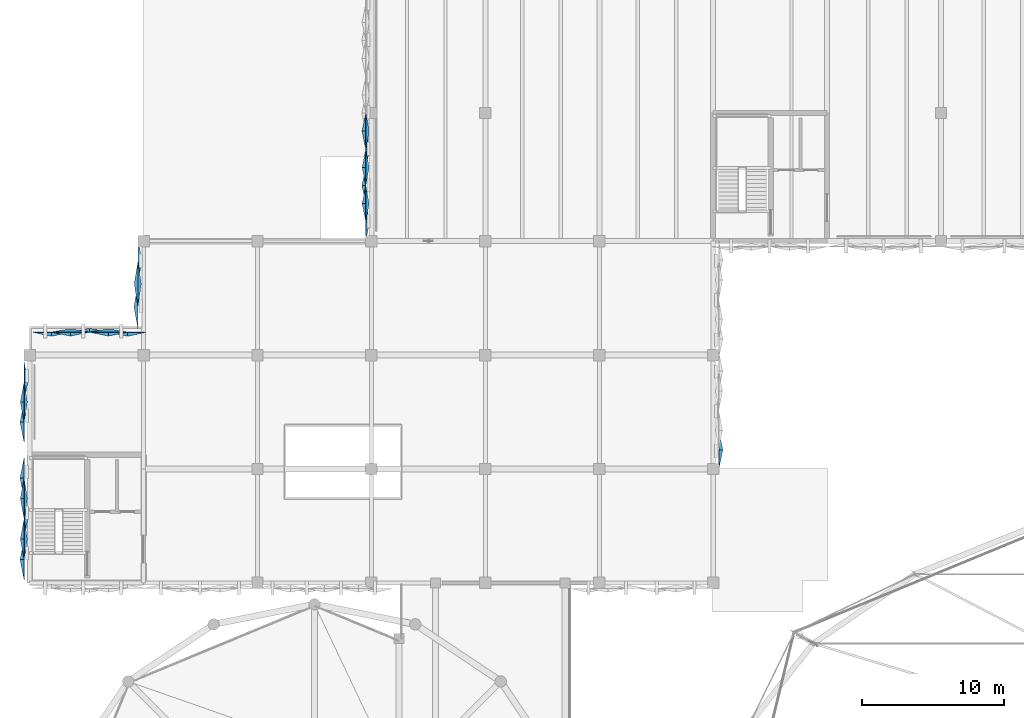
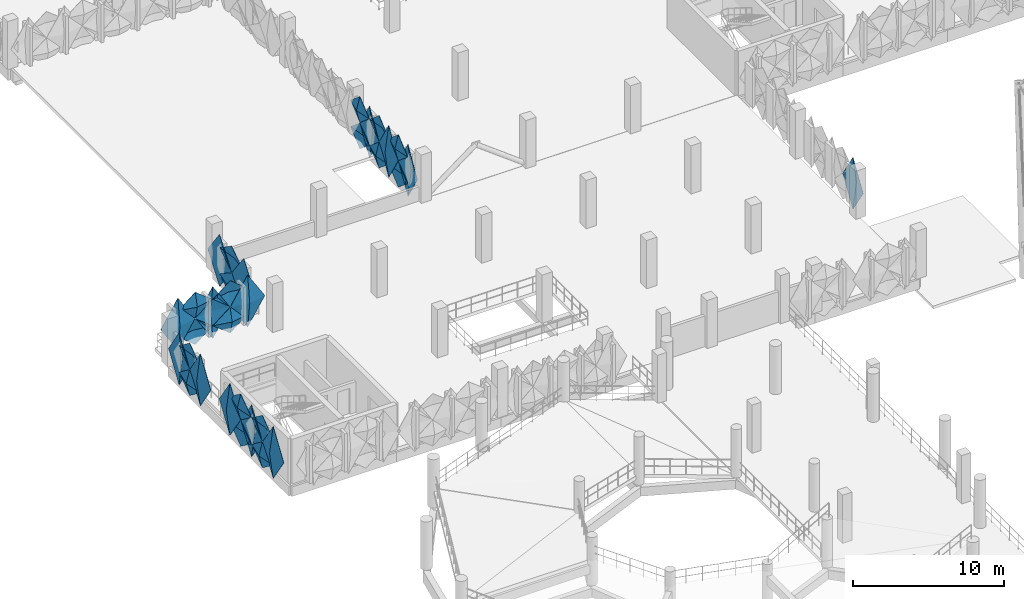
# One storey, part 64 of 96: 32 plates.
"""IFC4 building model written with IfcOpenShell, lengths in metres."""

import ifcopenshell
import ifcopenshell.guid

model = None  # the IFC model being written
_history = None  # IfcOwnerHistory: only IFC2X3 demands one
_inside = {}  # id of a spatial element -> (the spatial element, [elements in it])
_under = {}  # id of a project, library or spatial element -> (it, [spatial elements below it])
_declared = {}  # id of a project -> (the project, [libraries it declares])
_typed = {}  # id of a type object -> (the type object, [elements of that type])
_made_of = {}  # id of a material, layer set ... -> (it, [elements and type objects made of it])


def new_model(schema):
    """Start an empty IFC model of exactly this schema.

    Asked for "IFC4X3", IfcOpenShell would pick the latest addendum, in which some entities
    have other attributes; the version numbers below select the first issue.
    IFC2X3 requires an IfcOwnerHistory on every rooted entity: one is made here for all.
    """
    global model, _history
    if schema == "IFC4X3":
        model = ifcopenshell.file(schema_version=(4, 3, 0, 0))
    else:
        model = ifcopenshell.file(schema=schema)
    _inside.clear()
    _under.clear()
    _declared.clear()
    _typed.clear()
    _made_of.clear()
    _history = None
    if model.schema == "IFC2X3":
        org = make("IfcOrganization", Name="unknown")
        user = make(
            "IfcPersonAndOrganization",
            ThePerson=make("IfcPerson", FamilyName="unknown"),
            TheOrganization=org,
        )
        app = make(
            "IfcApplication",
            ApplicationDeveloper=org,
            Version="unknown",
            ApplicationFullName="unknown",
            ApplicationIdentifier="unknown",
        )
        _history = make(
            "IfcOwnerHistory",
            OwningUser=user,
            OwningApplication=app,
            ChangeAction="ADDED",
            CreationDate=0,
        )
    return model


def make(cls, **values):
    """One entity of the class cls with the attributes given. An attribute that is None is left unset."""
    return model.create_entity(
        cls, **{name: value for name, value in values.items() if value is not None}
    )


def rooted(cls, **values):
    """An entity with a GlobalId (a new one), such as an element, a storey or a relation."""
    return make(cls, GlobalId=ifcopenshell.guid.new(), OwnerHistory=_history, **values)


def si_unit(unit_type, name, prefix=None):
    """IfcSIUnit, for example si_unit("LENGTHUNIT", "METRE", prefix="MILLI")."""
    return make("IfcSIUnit", UnitType=unit_type, Prefix=prefix, Name=name)


def derived_unit(unit_type, elements):
    """IfcDerivedUnit: a product of units, each with its exponent."""
    return make(
        "IfcDerivedUnit",
        Elements=[
            make("IfcDerivedUnitElement", Unit=unit, Exponent=power)
            for unit, power in elements
        ],
        UnitType=unit_type,
    )


def assignment(units):
    """IfcUnitAssignment: the units of a project."""
    return None if units is None else make("IfcUnitAssignment", Units=units)


def point(xyz):
    """IfcCartesianPoint."""
    return None if xyz is None else make("IfcCartesianPoint", Coordinates=xyz)


def direction(xyz):
    """IfcDirection."""
    return None if xyz is None else make("IfcDirection", DirectionRatios=xyz)


def frame(location, z_axis=None, x_axis=None):
    """IfcAxis2Placement3D, a coordinate frame: its origin and axes. An axis left out is left unset."""
    return make(
        "IfcAxis2Placement3D",
        Location=point(location),
        Axis=direction(z_axis),
        RefDirection=direction(x_axis),
    )


def origin():
    """The frame at (0, 0, 0) with its axes left unset."""
    return frame((0.0, 0.0, 0.0))


def place(relative_to, where):
    """IfcLocalPlacement: puts the frame where relative to a parent placement (None: the world)."""
    return make(
        "IfcLocalPlacement", PlacementRelTo=relative_to, RelativePlacement=where
    )


def context(
    kind, dimensions, precision=None, world=None, true_north=None, identifier=None
):
    """IfcGeometricRepresentationContext, for example the 3D "Model" context."""
    return make(
        "IfcGeometricRepresentationContext",
        ContextIdentifier=identifier,
        ContextType=kind,
        CoordinateSpaceDimension=dimensions,
        Precision=precision,
        WorldCoordinateSystem=world,
        TrueNorth=true_north,
    )


def subcontext(parent, identifier, kind, view, scale=None):
    """IfcGeometricRepresentationSubContext, for example "Body" below "Model"."""
    return make(
        "IfcGeometricRepresentationSubContext",
        ContextIdentifier=identifier,
        ContextType=kind,
        ParentContext=parent,
        TargetScale=scale,
        TargetView=view,
    )


def project(units=None, contexts=None):
    """IfcProject with its units and contexts."""
    return rooted(
        "IfcProject",
        Name="project",
        RepresentationContexts=contexts,
        UnitsInContext=assignment(units),
    )


def spatial(cls, under=None, at=None, **own):
    """A site, building, storey or space (cls), placed at a placement, below another one or the project."""
    s = rooted(cls, ObjectPlacement=at, **own)
    if under is not None:
        _under.setdefault(under.id(), (under, []))[1].append(s)
    return s


def point_list(points):
    """IfcCartesianPointList2D or 3D."""
    cls = (
        "IfcCartesianPointList2D" if len(points[0]) == 2 else "IfcCartesianPointList3D"
    )
    return make(cls, CoordList=points)


def polygons(points, faces, closed=None, point_numbers=None):
    """IfcPolygonalFaceSet: a face is its outer loop, then its inner loops; points numbered from 1."""
    made = []
    for loops in faces:
        if len(loops) == 1:
            made.append(make("IfcIndexedPolygonalFace", CoordIndex=loops[0]))
        else:
            made.append(
                make(
                    "IfcIndexedPolygonalFaceWithVoids",
                    CoordIndex=loops[0],
                    InnerCoordIndices=loops[1:],
                )
            )
    return make(
        "IfcPolygonalFaceSet",
        Coordinates=point_list(points),
        Closed=closed,
        Faces=made,
        PnIndex=point_numbers,
    )


def shape(context_of_items, identifier, shape_type, items):
    """IfcShapeRepresentation: the items that make up one representation, for example the "Body"."""
    return make(
        "IfcShapeRepresentation",
        ContextOfItems=context_of_items,
        RepresentationIdentifier=identifier,
        RepresentationType=shape_type,
        Items=items,
    )


def material(Name=None, Category=None):
    """IfcMaterial."""
    return make("IfcMaterial", Name=Name, Category=Category)


def layer(
    of_material, thickness, ventilated=None, Name=None, Category=None, Priority=None
):
    """IfcMaterialLayer: one layer of a wall or slab, of a material (None: an air gap)."""
    return make(
        "IfcMaterialLayer",
        Material=of_material,
        LayerThickness=thickness,
        IsVentilated=ventilated,
        Name=Name,
        Category=Category,
        Priority=Priority,
    )


def layer_set(layers, Name=None):
    """IfcMaterialLayerSet."""
    return make("IfcMaterialLayerSet", MaterialLayers=layers, LayerSetName=Name)


def made_of(thing, what):
    """Note that an element or type object is made of a material, layer set ...; save() writes the relation."""
    if what is not None:
        _made_of.setdefault(what.id(), (what, []))[1].append(thing)
    return thing


def type_object(cls, material=None, **own):
    """A type object (cls), such as IfcWallType, which elements share."""
    return made_of(rooted(cls, **own), material)


def element(
    cls,
    number,
    at=None,
    inside=None,
    cuts=None,
    type_object=None,
    material=None,
    context=None,
    identifier="Body",
    shape_type=None,
    held_by="IfcProductDefinitionShape",
    body=None,
    shapes=None,
    **own,
):
    """One element of the class cls, such as IfcWall. Its Tag is "e" and its number.

    at: its placement. inside: the storey or other place that contains it. cuts: it is an
    opening in that element (IfcRelVoidsElement). A single representation is given by context,
    identifier, shape_type and body (its items); several are given by shapes. held_by: the class
    of the entity that holds the representations. save() writes the other relations.
    """
    e = rooted(cls, Tag="e%d" % number, ObjectPlacement=at, **own)
    if body is not None:
        shapes = [shape(context, identifier, shape_type, body)]
    if shapes is not None:
        e.Representation = make(held_by, Representations=shapes)
    if inside is not None:
        _inside.setdefault(inside.id(), (inside, []))[1].append(e)
    if cuts is not None:
        rooted(
            "IfcRelVoidsElement", RelatingBuildingElement=cuts, RelatedOpeningElement=e
        )
    if type_object is not None:
        _typed.setdefault(type_object.id(), (type_object, []))[1].append(e)
    return made_of(e, material)


def aggregate(whole, parts):
    """IfcRelAggregates: a whole, such as a stair, and the parts it consists of."""
    return rooted("IfcRelAggregates", RelatingObject=whole, RelatedObjects=parts)


def save(model, path):
    """Write the relations noted so far, then the file.

    IfcRelAggregates (storeys below a building ...), IfcRelContainedInSpatialStructure (elements
    in a storey), IfcRelDefinesByType, IfcRelAssociatesMaterial and IfcRelDeclares: one each for
    every whole, place, type object, material and project.
    """
    for whole, parts in _under.values():
        aggregate(whole, parts)
    for where, things in _inside.values():
        rooted(
            "IfcRelContainedInSpatialStructure",
            RelatedElements=things,
            RelatingStructure=where,
        )
    for kind, things in _typed.values():
        rooted("IfcRelDefinesByType", RelatedObjects=things, RelatingType=kind)
    for what, things in _made_of.values():
        rooted("IfcRelAssociatesMaterial", RelatedObjects=things, RelatingMaterial=what)
    for by, libraries in _declared.values():
        rooted("IfcRelDeclares", RelatingContext=by, RelatedDefinitions=libraries)
    model.write(path)


model = new_model("IFC4")

# Units and contexts
model_context = context("Model", 3, precision=1e-05, world=origin(), true_north=direction((0.0, 1.0)))
body_context = subcontext(model_context, "Body", "Model", "MODEL_VIEW")
ifc_project = project(units=[si_unit("LENGTHUNIT", "METRE"), si_unit("AREAUNIT", "SQUARE_METRE"), si_unit("VOLUMEUNIT", "CUBIC_METRE"), si_unit("PLANEANGLEUNIT", "RADIAN"), si_unit("MASSUNIT", "GRAM", prefix="KILO"), si_unit("THERMODYNAMICTEMPERATUREUNIT", "KELVIN"), derived_unit("THERMALTRANSMITTANCEUNIT", [(si_unit("POWERUNIT", "WATT"), 1), (si_unit("AREAUNIT", "SQUARE_METRE"), -1), (si_unit("THERMODYNAMICTEMPERATUREUNIT", "KELVIN"), -1)])], contexts=[model_context])

# Site, building, storey
site_placement = place(None, origin())
site = spatial("IfcSite", under=ifc_project, at=site_placement, CompositionType="ELEMENT")
building_placement = place(site_placement, origin())
building = spatial("IfcBuilding", under=site, at=building_placement, Name="Haiyu Intermodal Mobility Hub", CompositionType="ELEMENT")
storey_placement = place(building_placement, frame((0.0, 0.0, 9.5)))
storey = spatial("IfcBuildingStorey", under=building, at=storey_placement, Name="L02", CompositionType="ELEMENT", Elevation=9.5)

# Plates
ifc_material = material(Name="Anodised aluminium 6063-T6", Category="aluminium")
ifc_layer_1 = layer(ifc_material, 0.01806640625)
ifc_layer_set_1 = layer_set([ifc_layer_1], Name="Anodised aluminium 6063-T6")
plate_type_1 = type_object("IfcPlateType", Name="PLT-FC01", PredefinedType="USERDEFINED", material=ifc_layer_set_1)
plate_1_placement = place(storey_placement, origin())
element("IfcPlate", 1, at=plate_1_placement, inside=storey, type_object=plate_type_1, Name="PLT-PYR-1436", ObjectType="FACADE CASSETTE", PredefinedType="USERDEFINED", context=body_context, shape_type="Tessellation", body=[
    polygons([(13.60009765625, 81.633056640625, -0.510009765625), (13.60009765625, 80.219970703125, 1.60009765625), (13.60009765625, 81.633056640625, 3.7099609375), (13.60009765625, 83.047119140625, 1.60009765625), (13.320068359375, 81.633056640625, 1.60009765625), (13.6220703125, 81.633056640625, -0.510009765625), (13.6220703125, 80.219970703125, 1.60009765625), (13.6220703125, 81.633056640625, 3.7099609375), (13.6220703125, 83.047119140625, 1.60009765625), (13.342041015625, 81.633056640625, 1.60009765625)], [[[1, 2, 5]], [[2, 3, 5]], [[3, 4, 5]], [[4, 1, 5]], [[7, 6, 10]], [[8, 7, 10]], [[9, 8, 10]], [[6, 9, 10]], [[1, 6, 7, 2]], [[2, 7, 8, 3]], [[3, 8, 9, 4]], [[4, 9, 6, 1]]], closed=True),
])
plate_2_placement = place(storey_placement, origin())
element("IfcPlate", 2, at=plate_2_placement, inside=storey, type_object=plate_type_1, Name="PLT-PYR-2485", ObjectType="FACADE CASSETTE", PredefinedType="USERDEFINED", context=body_context, shape_type="Tessellation", body=[
    polygons([(20.866943359375, 97.60009765625, -0.510009765625), (22.179931640625, 97.60009765625, 1.60009765625), (20.866943359375, 97.60009765625, 3.7099609375), (19.552978515625, 97.60009765625, 1.60009765625), (20.866943359375, 97.320068359375, 1.60009765625), (20.866943359375, 97.6220703125, -0.510009765625), (22.179931640625, 97.6220703125, 1.60009765625), (20.866943359375, 97.6220703125, 3.7099609375), (19.552978515625, 97.6220703125, 1.60009765625), (20.866943359375, 97.342041015625, 1.60009765625)], [[[1, 2, 5]], [[2, 3, 5]], [[3, 4, 5]], [[4, 1, 5]], [[7, 6, 10]], [[8, 7, 10]], [[9, 8, 10]], [[6, 9, 10]], [[1, 6, 7, 2]], [[2, 7, 8, 3]], [[3, 8, 9, 4]], [[4, 9, 6, 1]]], closed=True),
])
ifc_layer_2 = layer(ifc_material, 0.02001953125)
ifc_layer_set_2 = layer_set([ifc_layer_2], Name="Anodised aluminium 6063-T6")
plate_type_2 = type_object("IfcPlateType", Name="PLT-FC02", PredefinedType="USERDEFINED", material=ifc_layer_set_2)
plate_3_placement = place(storey_placement, origin())
element("IfcPlate", 3, at=plate_3_placement, inside=storey, type_object=plate_type_2, Name="PLT-PYR-0558", ObjectType="FACADE CASSETTE", PredefinedType="USERDEFINED", context=body_context, shape_type="Tessellation", body=[
    polygons([(37.60009765625, 105.35400390625, -0.510009765625), (37.60009765625, 104.10009765625, 1.60009765625), (37.60009765625, 105.35400390625, 3.7099609375), (37.60009765625, 106.60888671875, 1.60009765625), (37.860107421875, 105.35400390625, 1.60009765625), (37.6220703125, 105.35400390625, -0.510009765625), (37.6220703125, 104.10009765625, 1.60009765625), (37.6220703125, 105.35400390625, 3.7099609375), (37.6220703125, 106.60888671875, 1.60009765625), (37.882080078125, 105.35400390625, 1.60009765625)], [[[1, 2, 5]], [[2, 3, 5]], [[3, 4, 5]], [[4, 1, 5]], [[7, 6, 10]], [[8, 7, 10]], [[9, 8, 10]], [[6, 9, 10]], [[1, 6, 7, 2]], [[2, 7, 8, 3]], [[3, 8, 9, 4]], [[4, 9, 6, 1]]], closed=True),
])
ifc_layer_3 = layer(ifc_material, 0.01806640625)
ifc_layer_set_3 = layer_set([ifc_layer_3], Name="Anodised aluminium 6063-T6")
plate_type_3 = type_object("IfcPlateType", Name="PLT-FC05", PredefinedType="USERDEFINED", material=ifc_layer_set_3)
plate_4_placement = place(storey_placement, origin())
element("IfcPlate", 4, at=plate_4_placement, inside=storey, type_object=plate_type_3, Name="PLT-PYR-0553", ObjectType="FACADE CASSETTE", PredefinedType="USERDEFINED", context=body_context, shape_type="Tessellation", body=[
    polygons([(37.60009765625, 109.177001953125, -0.52001953125), (37.60009765625, 107.923095703125, 0.530029296875), (37.60009765625, 109.177001953125, 1.580078125), (37.60009765625, 110.430908203125, 0.530029296875), (37.340087890625, 109.177001953125, 0.530029296875), (37.6220703125, 109.177001953125, -0.52001953125), (37.6220703125, 107.923095703125, 0.530029296875), (37.6220703125, 109.177001953125, 1.580078125), (37.6220703125, 110.430908203125, 0.530029296875), (37.362060546875, 109.177001953125, 0.530029296875)], [[[1, 2, 5]], [[2, 3, 5]], [[3, 4, 5]], [[4, 1, 5]], [[7, 6, 10]], [[8, 7, 10]], [[9, 8, 10]], [[6, 9, 10]], [[1, 6, 7, 2]], [[2, 7, 8, 3]], [[3, 8, 9, 4]], [[4, 9, 6, 1]]], closed=True),
])
plate_5_placement = place(storey_placement, origin())
element("IfcPlate", 5, at=plate_5_placement, inside=storey, type_object=plate_type_3, Name="PLT-PYR-0656", ObjectType="FACADE CASSETTE", PredefinedType="USERDEFINED", context=body_context, shape_type="Tessellation", body=[
    polygons([(13.60009765625, 92.699951171875, -0.52001953125), (13.60009765625, 91.31005859375, 0.530029296875), (13.60009765625, 92.699951171875, 1.580078125), (13.60009765625, 94.090087890625, 0.530029296875), (13.340087890625, 92.699951171875, 0.530029296875), (13.6220703125, 92.699951171875, -0.52001953125), (13.6220703125, 91.31005859375, 0.530029296875), (13.6220703125, 92.699951171875, 1.580078125), (13.6220703125, 94.090087890625, 0.530029296875), (13.362060546875, 92.699951171875, 0.530029296875)], [[[1, 2, 5]], [[2, 3, 5]], [[3, 4, 5]], [[4, 1, 5]], [[7, 6, 10]], [[8, 7, 10]], [[9, 8, 10]], [[6, 9, 10]], [[1, 6, 7, 2]], [[2, 7, 8, 3]], [[3, 8, 9, 4]], [[4, 9, 6, 1]]], closed=True),
])
plate_6_placement = place(storey_placement, origin())
element("IfcPlate", 6, at=plate_6_placement, inside=storey, type_object=plate_type_3, Name="PLT-PYR-1430", ObjectType="FACADE CASSETTE", PredefinedType="USERDEFINED", context=body_context, shape_type="Tessellation", body=[
    polygons([(13.60009765625, 87.366943359375, -0.510009765625), (13.60009765625, 85.952880859375, 1.60009765625), (13.60009765625, 87.366943359375, 3.7099609375), (13.60009765625, 88.780029296875, 1.60009765625), (13.320068359375, 87.366943359375, 1.60009765625), (13.6220703125, 87.366943359375, -0.510009765625), (13.6220703125, 85.952880859375, 1.60009765625), (13.6220703125, 87.366943359375, 3.7099609375), (13.6220703125, 88.780029296875, 1.60009765625), (13.342041015625, 87.366943359375, 1.60009765625)], [[[1, 2, 5]], [[2, 3, 5]], [[3, 4, 5]], [[4, 1, 5]], [[7, 6, 10]], [[8, 7, 10]], [[9, 8, 10]], [[6, 9, 10]], [[1, 6, 7, 2]], [[2, 7, 8, 3]], [[3, 8, 9, 4]], [[4, 9, 6, 1]]], closed=True),
])
plate_7_placement = place(storey_placement, origin())
element("IfcPlate", 7, at=plate_7_placement, inside=storey, type_object=plate_type_3, Name="PLT-PYR-1434", ObjectType="FACADE CASSETTE", PredefinedType="USERDEFINED", context=body_context, shape_type="Tessellation", body=[
    polygons([(13.60009765625, 83.06689453125, -0.52001953125), (13.60009765625, 81.653076171875, 0.530029296875), (13.60009765625, 83.06689453125, 1.580078125), (13.60009765625, 84.47998046875, 0.530029296875), (13.340087890625, 83.06689453125, 0.530029296875), (13.6220703125, 83.06689453125, -0.52001953125), (13.6220703125, 81.653076171875, 0.530029296875), (13.6220703125, 83.06689453125, 1.580078125), (13.6220703125, 84.47998046875, 0.530029296875), (13.362060546875, 83.06689453125, 0.530029296875)], [[[1, 2, 5]], [[2, 3, 5]], [[3, 4, 5]], [[4, 1, 5]], [[7, 6, 10]], [[8, 7, 10]], [[9, 8, 10]], [[6, 9, 10]], [[1, 6, 7, 2]], [[2, 7, 8, 3]], [[3, 8, 9, 4]], [[4, 9, 6, 1]]], closed=True),
])
plate_8_placement = place(storey_placement, origin())
element("IfcPlate", 8, at=plate_8_placement, inside=storey, type_object=plate_type_3, Name="PLT-PYR-2041", ObjectType="FACADE CASSETTE", PredefinedType="USERDEFINED", context=body_context, shape_type="Tessellation", body=[
    polygons([(62.39990234375, 89.3330078125, -0.510009765625), (62.39990234375, 90.697021484375, 1.60009765625), (62.39990234375, 89.3330078125, 3.7099609375), (62.39990234375, 87.969970703125, 1.60009765625), (62.679931640625, 89.3330078125, 1.60009765625), (62.3779296875, 89.3330078125, -0.510009765625), (62.3779296875, 90.697021484375, 1.60009765625), (62.3779296875, 89.3330078125, 3.7099609375), (62.3779296875, 87.969970703125, 1.60009765625), (62.657958984375, 89.3330078125, 1.60009765625)], [[[1, 2, 5]], [[2, 3, 5]], [[3, 4, 5]], [[4, 1, 5]], [[7, 6, 10]], [[8, 7, 10]], [[9, 8, 10]], [[6, 9, 10]], [[1, 6, 7, 2]], [[2, 7, 8, 3]], [[3, 8, 9, 4]], [[4, 9, 6, 1]]], closed=True),
])
plate_9_placement = place(storey_placement, origin())
element("IfcPlate", 9, at=plate_9_placement, inside=storey, type_object=plate_type_3, Name="PLT-PYR-2479", ObjectType="FACADE CASSETTE", PredefinedType="USERDEFINED", context=body_context, shape_type="Tessellation", body=[
    polygons([(15.532958984375, 97.60009765625, -0.510009765625), (16.846923828125, 97.60009765625, 1.60009765625), (15.532958984375, 97.60009765625, 3.7099609375), (14.219970703125, 97.60009765625, 1.60009765625), (15.532958984375, 97.320068359375, 1.60009765625), (15.532958984375, 97.6220703125, -0.510009765625), (16.846923828125, 97.6220703125, 1.60009765625), (15.532958984375, 97.6220703125, 3.7099609375), (14.219970703125, 97.6220703125, 1.60009765625), (15.532958984375, 97.342041015625, 1.60009765625)], [[[1, 2, 5]], [[2, 3, 5]], [[3, 4, 5]], [[4, 1, 5]], [[7, 6, 10]], [[8, 7, 10]], [[9, 8, 10]], [[6, 9, 10]], [[1, 6, 7, 2]], [[2, 7, 8, 3]], [[3, 8, 9, 4]], [[4, 9, 6, 1]]], closed=True),
])
plate_10_placement = place(storey_placement, origin())
element("IfcPlate", 10, at=plate_10_placement, inside=storey, type_object=plate_type_3, Name="PLT-PYR-2483", ObjectType="FACADE CASSETTE", PredefinedType="USERDEFINED", context=body_context, shape_type="Tessellation", body=[
    polygons([(19.532958984375, 97.60009765625, -0.52001953125), (20.846923828125, 97.60009765625, 0.530029296875), (19.532958984375, 97.60009765625, 1.580078125), (18.219970703125, 97.60009765625, 0.530029296875), (19.532958984375, 97.340087890625, 0.530029296875), (19.532958984375, 97.6220703125, -0.52001953125), (20.846923828125, 97.6220703125, 0.530029296875), (19.532958984375, 97.6220703125, 1.580078125), (18.219970703125, 97.6220703125, 0.530029296875), (19.532958984375, 97.362060546875, 0.530029296875)], [[[1, 2, 5]], [[2, 3, 5]], [[3, 4, 5]], [[4, 1, 5]], [[7, 6, 10]], [[8, 7, 10]], [[9, 8, 10]], [[6, 9, 10]], [[1, 6, 7, 2]], [[2, 7, 8, 3]], [[3, 8, 9, 4]], [[4, 9, 6, 1]]], closed=True),
])
plate_11_placement = place(storey_placement, origin())
element("IfcPlate", 11, at=plate_11_placement, inside=storey, type_object=plate_type_3, Name="PLT-PYR-2487", ObjectType="FACADE CASSETTE", PredefinedType="USERDEFINED", context=body_context, shape_type="Tessellation", body=[
    polygons([(21.60009765625, 101.0, -0.52001953125), (21.60009765625, 99.419921875, 0.530029296875), (21.60009765625, 101.0, 1.580078125), (21.60009765625, 102.580078125, 0.530029296875), (21.340087890625, 101.0, 0.530029296875), (21.6220703125, 101.0, -0.52001953125), (21.6220703125, 99.419921875, 0.530029296875), (21.6220703125, 101.0, 1.580078125), (21.6220703125, 102.580078125, 0.530029296875), (21.362060546875, 101.0, 0.530029296875)], [[[1, 2, 5]], [[2, 3, 5]], [[3, 4, 5]], [[4, 1, 5]], [[7, 6, 10]], [[8, 7, 10]], [[9, 8, 10]], [[6, 9, 10]], [[1, 6, 7, 2]], [[2, 7, 8, 3]], [[3, 8, 9, 4]], [[4, 9, 6, 1]]], closed=True),
])
ifc_layer_4 = layer(ifc_material, 0.02001953125)
ifc_layer_set_4 = layer_set([ifc_layer_4], Name="Anodised aluminium 6063-T6")
plate_type_4 = type_object("IfcPlateType", Name="PLT-FC06", PredefinedType="USERDEFINED", material=ifc_layer_set_4)
plate_12_placement = place(storey_placement, origin())
element("IfcPlate", 12, at=plate_12_placement, inside=storey, type_object=plate_type_4, Name="PLT-PYR-0550", ObjectType="FACADE CASSETTE", PredefinedType="USERDEFINED", context=body_context, shape_type="Tessellation", body=[
    polygons([(37.60009765625, 111.72607421875, -0.52001953125), (37.60009765625, 110.470947265625, 0.530029296875), (37.60009765625, 111.72607421875, 1.580078125), (37.60009765625, 112.97998046875, 0.530029296875), (37.820068359375, 111.72607421875, 0.530029296875), (37.6220703125, 111.72607421875, -0.52001953125), (37.6220703125, 110.470947265625, 0.530029296875), (37.6220703125, 111.72607421875, 1.580078125), (37.6220703125, 112.97998046875, 0.530029296875), (37.842041015625, 111.72607421875, 0.530029296875)], [[[1, 2, 5]], [[2, 3, 5]], [[3, 4, 5]], [[4, 1, 5]], [[7, 6, 10]], [[8, 7, 10]], [[9, 8, 10]], [[6, 9, 10]], [[1, 6, 7, 2]], [[2, 7, 8, 3]], [[3, 8, 9, 4]], [[4, 9, 6, 1]]], closed=True),
])
plate_13_placement = place(storey_placement, origin())
element("IfcPlate", 13, at=plate_13_placement, inside=storey, type_object=plate_type_4, Name="PLT-PYR-0552", ObjectType="FACADE CASSETTE", PredefinedType="USERDEFINED", context=body_context, shape_type="Tessellation", body=[
    polygons([(37.60009765625, 110.450927734375, -0.510009765625), (37.60009765625, 109.197021484375, 1.60009765625), (37.60009765625, 110.450927734375, 3.7099609375), (37.60009765625, 111.7060546875, 1.60009765625), (37.860107421875, 110.450927734375, 1.60009765625), (37.6220703125, 110.450927734375, -0.510009765625), (37.6220703125, 109.197021484375, 1.60009765625), (37.6220703125, 110.450927734375, 3.7099609375), (37.6220703125, 111.7060546875, 1.60009765625), (37.882080078125, 110.450927734375, 1.60009765625)], [[[1, 2, 5]], [[2, 3, 5]], [[3, 4, 5]], [[4, 1, 5]], [[7, 6, 10]], [[8, 7, 10]], [[9, 8, 10]], [[6, 9, 10]], [[1, 6, 7, 2]], [[2, 7, 8, 3]], [[3, 8, 9, 4]], [[4, 9, 6, 1]]], closed=True),
])
plate_14_placement = place(storey_placement, origin())
element("IfcPlate", 14, at=plate_14_placement, inside=storey, type_object=plate_type_4, Name="PLT-PYR-0556", ObjectType="FACADE CASSETTE", PredefinedType="USERDEFINED", context=body_context, shape_type="Tessellation", body=[
    polygons([(37.60009765625, 106.62890625, -0.52001953125), (37.60009765625, 105.3740234375, 0.530029296875), (37.60009765625, 106.62890625, 1.580078125), (37.60009765625, 107.883056640625, 0.530029296875), (37.820068359375, 106.62890625, 0.530029296875), (37.6220703125, 106.62890625, -0.52001953125), (37.6220703125, 105.3740234375, 0.530029296875), (37.6220703125, 106.62890625, 1.580078125), (37.6220703125, 107.883056640625, 0.530029296875), (37.842041015625, 106.62890625, 0.530029296875)], [[[1, 2, 5]], [[2, 3, 5]], [[3, 4, 5]], [[4, 1, 5]], [[7, 6, 10]], [[8, 7, 10]], [[9, 8, 10]], [[6, 9, 10]], [[1, 6, 7, 2]], [[2, 7, 8, 3]], [[3, 8, 9, 4]], [[4, 9, 6, 1]]], closed=True),
])
plate_15_placement = place(storey_placement, origin())
element("IfcPlate", 15, at=plate_15_placement, inside=storey, type_object=plate_type_4, Name="PLT-PYR-0655", ObjectType="FACADE CASSETTE", PredefinedType="USERDEFINED", context=body_context, shape_type="Tessellation", body=[
    polygons([(13.60009765625, 94.110107421875, -0.510009765625), (13.60009765625, 92.719970703125, 1.60009765625), (13.60009765625, 94.110107421875, 3.7099609375), (13.60009765625, 95.5, 1.60009765625), (13.860107421875, 94.110107421875, 1.60009765625), (13.6220703125, 94.110107421875, -0.510009765625), (13.6220703125, 92.719970703125, 1.60009765625), (13.6220703125, 94.110107421875, 3.7099609375), (13.6220703125, 95.5, 1.60009765625), (13.882080078125, 94.110107421875, 1.60009765625)], [[[1, 2, 5]], [[2, 3, 5]], [[3, 4, 5]], [[4, 1, 5]], [[7, 6, 10]], [[8, 7, 10]], [[9, 8, 10]], [[6, 9, 10]], [[1, 6, 7, 2]], [[2, 7, 8, 3]], [[3, 8, 9, 4]], [[4, 9, 6, 1]]], closed=True),
])
plate_16_placement = place(storey_placement, origin())
element("IfcPlate", 16, at=plate_16_placement, inside=storey, type_object=plate_type_4, Name="PLT-PYR-1431", ObjectType="FACADE CASSETTE", PredefinedType="USERDEFINED", context=body_context, shape_type="Tessellation", body=[
    polygons([(13.60009765625, 85.93310546875, -0.52001953125), (13.60009765625, 84.52001953125, 0.530029296875), (13.60009765625, 85.93310546875, 1.580078125), (13.60009765625, 87.346923828125, 0.530029296875), (13.820068359375, 85.93310546875, 0.530029296875), (13.6220703125, 85.93310546875, -0.52001953125), (13.6220703125, 84.52001953125, 0.530029296875), (13.6220703125, 85.93310546875, 1.580078125), (13.6220703125, 87.346923828125, 0.530029296875), (13.842041015625, 85.93310546875, 0.530029296875)], [[[1, 2, 5]], [[2, 3, 5]], [[3, 4, 5]], [[4, 1, 5]], [[7, 6, 10]], [[8, 7, 10]], [[9, 8, 10]], [[6, 9, 10]], [[1, 6, 7, 2]], [[2, 7, 8, 3]], [[3, 8, 9, 4]], [[4, 9, 6, 1]]], closed=True),
])
plate_17_placement = place(storey_placement, origin())
element("IfcPlate", 17, at=plate_17_placement, inside=storey, type_object=plate_type_4, Name="PLT-PYR-2480", ObjectType="FACADE CASSETTE", PredefinedType="USERDEFINED", context=body_context, shape_type="Tessellation", body=[
    polygons([(16.866943359375, 97.60009765625, -0.52001953125), (18.179931640625, 97.60009765625, 0.530029296875), (16.866943359375, 97.60009765625, 1.580078125), (15.552978515625, 97.60009765625, 0.530029296875), (16.866943359375, 97.820068359375, 0.530029296875), (16.866943359375, 97.6220703125, -0.52001953125), (18.179931640625, 97.6220703125, 0.530029296875), (16.866943359375, 97.6220703125, 1.580078125), (15.552978515625, 97.6220703125, 0.530029296875), (16.866943359375, 97.842041015625, 0.530029296875)], [[[1, 2, 5]], [[2, 3, 5]], [[3, 4, 5]], [[4, 1, 5]], [[7, 6, 10]], [[8, 7, 10]], [[9, 8, 10]], [[6, 9, 10]], [[1, 6, 7, 2]], [[2, 7, 8, 3]], [[3, 8, 9, 4]], [[4, 9, 6, 1]]], closed=True),
])
plate_18_placement = place(storey_placement, origin())
element("IfcPlate", 18, at=plate_18_placement, inside=storey, type_object=plate_type_4, Name="PLT-PYR-2486", ObjectType="FACADE CASSETTE", PredefinedType="USERDEFINED", context=body_context, shape_type="Tessellation", body=[
    polygons([(21.60009765625, 102.60009765625, -0.510009765625), (21.60009765625, 101.02001953125, 1.60009765625), (21.60009765625, 102.60009765625, 3.7099609375), (21.60009765625, 104.179931640625, 1.60009765625), (21.860107421875, 102.60009765625, 1.60009765625), (21.6220703125, 102.60009765625, -0.510009765625), (21.6220703125, 101.02001953125, 1.60009765625), (21.6220703125, 102.60009765625, 3.7099609375), (21.6220703125, 104.179931640625, 1.60009765625), (21.882080078125, 102.60009765625, 1.60009765625)], [[[1, 2, 5]], [[2, 3, 5]], [[3, 4, 5]], [[4, 1, 5]], [[7, 6, 10]], [[8, 7, 10]], [[9, 8, 10]], [[6, 9, 10]], [[1, 6, 7, 2]], [[2, 7, 8, 3]], [[3, 8, 9, 4]], [[4, 9, 6, 1]]], closed=True),
])
ifc_layer_5 = layer(ifc_material, 0.02197265625)
ifc_layer_set_5 = layer_set([ifc_layer_5], Name="Anodised aluminium 6063-T6")
plate_type_5 = type_object("IfcPlateType", Name="PLT-FC07", PredefinedType="USERDEFINED", material=ifc_layer_set_5)
plate_19_placement = place(storey_placement, origin())
element("IfcPlate", 19, at=plate_19_placement, inside=storey, type_object=plate_type_5, Name="PLT-PYR-0551", ObjectType="FACADE CASSETTE", PredefinedType="USERDEFINED", context=body_context, shape_type="Tessellation", body=[
    polygons([(37.60009765625, 111.72607421875, 1.6201171875), (37.60009765625, 110.470947265625, 2.669921875), (37.60009765625, 111.72607421875, 3.719970703125), (37.60009765625, 112.97998046875, 2.669921875), (37.340087890625, 111.72607421875, 2.669921875), (37.6220703125, 111.72607421875, 1.6201171875), (37.6220703125, 110.470947265625, 2.669921875), (37.6220703125, 111.72607421875, 3.719970703125), (37.6220703125, 112.97998046875, 2.669921875), (37.362060546875, 111.72607421875, 2.669921875)], [[[1, 2, 5]], [[2, 3, 5]], [[3, 4, 5]], [[4, 1, 5]], [[7, 6, 10]], [[8, 7, 10]], [[9, 8, 10]], [[6, 9, 10]], [[1, 6, 7, 2]], [[2, 7, 8, 3]], [[3, 8, 9, 4]], [[4, 9, 6, 1]]], closed=True),
])
plate_20_placement = place(storey_placement, origin())
element("IfcPlate", 20, at=plate_20_placement, inside=storey, type_object=plate_type_5, Name="PLT-PYR-0555", ObjectType="FACADE CASSETTE", PredefinedType="USERDEFINED", context=body_context, shape_type="Tessellation", body=[
    polygons([(37.60009765625, 107.903076171875, -0.510009765625), (37.60009765625, 106.64892578125, 1.60009765625), (37.60009765625, 107.903076171875, 3.7099609375), (37.60009765625, 109.156982421875, 1.60009765625), (37.320068359375, 107.903076171875, 1.60009765625), (37.6220703125, 107.903076171875, -0.510009765625), (37.6220703125, 106.64892578125, 1.60009765625), (37.6220703125, 107.903076171875, 3.7099609375), (37.6220703125, 109.156982421875, 1.60009765625), (37.342041015625, 107.903076171875, 1.60009765625)], [[[1, 2, 5]], [[2, 3, 5]], [[3, 4, 5]], [[4, 1, 5]], [[7, 6, 10]], [[8, 7, 10]], [[9, 8, 10]], [[6, 9, 10]], [[1, 6, 7, 2]], [[2, 7, 8, 3]], [[3, 8, 9, 4]], [[4, 9, 6, 1]]], closed=True),
])
plate_21_placement = place(storey_placement, origin())
element("IfcPlate", 21, at=plate_21_placement, inside=storey, type_object=plate_type_5, Name="PLT-PYR-0557", ObjectType="FACADE CASSETTE", PredefinedType="USERDEFINED", context=body_context, shape_type="Tessellation", body=[
    polygons([(37.60009765625, 106.62890625, 1.6201171875), (37.60009765625, 105.3740234375, 2.669921875), (37.60009765625, 106.62890625, 3.719970703125), (37.60009765625, 107.883056640625, 2.669921875), (37.340087890625, 106.62890625, 2.669921875), (37.6220703125, 106.62890625, 1.6201171875), (37.6220703125, 105.3740234375, 2.669921875), (37.6220703125, 106.62890625, 3.719970703125), (37.6220703125, 107.883056640625, 2.669921875), (37.362060546875, 106.62890625, 2.669921875)], [[[1, 2, 5]], [[2, 3, 5]], [[3, 4, 5]], [[4, 1, 5]], [[7, 6, 10]], [[8, 7, 10]], [[9, 8, 10]], [[6, 9, 10]], [[1, 6, 7, 2]], [[2, 7, 8, 3]], [[3, 8, 9, 4]], [[4, 9, 6, 1]]], closed=True),
])
plate_22_placement = place(storey_placement, origin())
element("IfcPlate", 22, at=plate_22_placement, inside=storey, type_object=plate_type_5, Name="PLT-PYR-0658", ObjectType="FACADE CASSETTE", PredefinedType="USERDEFINED", context=body_context, shape_type="Tessellation", body=[
    polygons([(13.60009765625, 91.2900390625, -0.510009765625), (13.60009765625, 89.89990234375, 1.60009765625), (13.60009765625, 91.2900390625, 3.7099609375), (13.60009765625, 92.679931640625, 1.60009765625), (13.320068359375, 91.2900390625, 1.60009765625), (13.6220703125, 91.2900390625, -0.510009765625), (13.6220703125, 89.89990234375, 1.60009765625), (13.6220703125, 91.2900390625, 3.7099609375), (13.6220703125, 92.679931640625, 1.60009765625), (13.342041015625, 91.2900390625, 1.60009765625)], [[[1, 2, 5]], [[2, 3, 5]], [[3, 4, 5]], [[4, 1, 5]], [[7, 6, 10]], [[8, 7, 10]], [[9, 8, 10]], [[6, 9, 10]], [[1, 6, 7, 2]], [[2, 7, 8, 3]], [[3, 8, 9, 4]], [[4, 9, 6, 1]]], closed=True),
])
plate_23_placement = place(storey_placement, origin())
element("IfcPlate", 23, at=plate_23_placement, inside=storey, type_object=plate_type_5, Name="PLT-PYR-1432", ObjectType="FACADE CASSETTE", PredefinedType="USERDEFINED", context=body_context, shape_type="Tessellation", body=[
    polygons([(13.60009765625, 85.93310546875, 1.6201171875), (13.60009765625, 84.52001953125, 2.669921875), (13.60009765625, 85.93310546875, 3.719970703125), (13.60009765625, 87.346923828125, 2.669921875), (13.340087890625, 85.93310546875, 2.669921875), (13.6220703125, 85.93310546875, 1.6201171875), (13.6220703125, 84.52001953125, 2.669921875), (13.6220703125, 85.93310546875, 3.719970703125), (13.6220703125, 87.346923828125, 2.669921875), (13.362060546875, 85.93310546875, 2.669921875)], [[[1, 2, 5]], [[2, 3, 5]], [[3, 4, 5]], [[4, 1, 5]], [[7, 6, 10]], [[8, 7, 10]], [[9, 8, 10]], [[6, 9, 10]], [[1, 6, 7, 2]], [[2, 7, 8, 3]], [[3, 8, 9, 4]], [[4, 9, 6, 1]]], closed=True),
])
plate_24_placement = place(storey_placement, origin())
element("IfcPlate", 24, at=plate_24_placement, inside=storey, type_object=plate_type_5, Name="PLT-PYR-2481", ObjectType="FACADE CASSETTE", PredefinedType="USERDEFINED", context=body_context, shape_type="Tessellation", body=[
    polygons([(16.866943359375, 97.60009765625, 1.6201171875), (18.179931640625, 97.60009765625, 2.669921875), (16.866943359375, 97.60009765625, 3.719970703125), (15.552978515625, 97.60009765625, 2.669921875), (16.866943359375, 97.340087890625, 2.669921875), (16.866943359375, 97.6220703125, 1.6201171875), (18.179931640625, 97.6220703125, 2.669921875), (16.866943359375, 97.6220703125, 3.719970703125), (15.552978515625, 97.6220703125, 2.669921875), (16.866943359375, 97.362060546875, 2.669921875)], [[[1, 2, 5]], [[2, 3, 5]], [[3, 4, 5]], [[4, 1, 5]], [[7, 6, 10]], [[8, 7, 10]], [[9, 8, 10]], [[6, 9, 10]], [[1, 6, 7, 2]], [[2, 7, 8, 3]], [[3, 8, 9, 4]], [[4, 9, 6, 1]]], closed=True),
])
plate_25_placement = place(storey_placement, origin())
element("IfcPlate", 25, at=plate_25_placement, inside=storey, type_object=plate_type_5, Name="PLT-PYR-2489", ObjectType="FACADE CASSETTE", PredefinedType="USERDEFINED", context=body_context, shape_type="Tessellation", body=[
    polygons([(21.60009765625, 99.39990234375, -0.510009765625), (21.60009765625, 97.820068359375, 1.60009765625), (21.60009765625, 99.39990234375, 3.7099609375), (21.60009765625, 100.97998046875, 1.60009765625), (21.320068359375, 99.39990234375, 1.60009765625), (21.6220703125, 99.39990234375, -0.510009765625), (21.6220703125, 97.820068359375, 1.60009765625), (21.6220703125, 99.39990234375, 3.7099609375), (21.6220703125, 100.97998046875, 1.60009765625), (21.342041015625, 99.39990234375, 1.60009765625)], [[[1, 2, 5]], [[2, 3, 5]], [[3, 4, 5]], [[4, 1, 5]], [[7, 6, 10]], [[8, 7, 10]], [[9, 8, 10]], [[6, 9, 10]], [[1, 6, 7, 2]], [[2, 7, 8, 3]], [[3, 8, 9, 4]], [[4, 9, 6, 1]]], closed=True),
])
ifc_layer_6 = layer(ifc_material, 0.02392578125)
ifc_layer_set_6 = layer_set([ifc_layer_6], Name="Anodised aluminium 6063-T6")
plate_type_6 = type_object("IfcPlateType", Name="PLT-FC08", PredefinedType="USERDEFINED", material=ifc_layer_set_6)
plate_26_placement = place(storey_placement, origin())
element("IfcPlate", 26, at=plate_26_placement, inside=storey, type_object=plate_type_6, Name="PLT-PYR-0554", ObjectType="FACADE CASSETTE", PredefinedType="USERDEFINED", context=body_context, shape_type="Tessellation", body=[
    polygons([(37.60009765625, 109.177001953125, 1.6201171875), (37.60009765625, 107.923095703125, 2.669921875), (37.60009765625, 109.177001953125, 3.719970703125), (37.60009765625, 110.430908203125, 2.669921875), (37.820068359375, 109.177001953125, 2.669921875), (37.6220703125, 109.177001953125, 1.6201171875), (37.6220703125, 107.923095703125, 2.669921875), (37.6220703125, 109.177001953125, 3.719970703125), (37.6220703125, 110.430908203125, 2.669921875), (37.842041015625, 109.177001953125, 2.669921875)], [[[1, 2, 5]], [[2, 3, 5]], [[3, 4, 5]], [[4, 1, 5]], [[7, 6, 10]], [[8, 7, 10]], [[9, 8, 10]], [[6, 9, 10]], [[1, 6, 7, 2]], [[2, 7, 8, 3]], [[3, 8, 9, 4]], [[4, 9, 6, 1]]], closed=True),
])
plate_27_placement = place(storey_placement, origin())
element("IfcPlate", 27, at=plate_27_placement, inside=storey, type_object=plate_type_6, Name="PLT-PYR-0657", ObjectType="FACADE CASSETTE", PredefinedType="USERDEFINED", context=body_context, shape_type="Tessellation", body=[
    polygons([(13.60009765625, 92.699951171875, 1.6201171875), (13.60009765625, 91.31005859375, 2.669921875), (13.60009765625, 92.699951171875, 3.719970703125), (13.60009765625, 94.090087890625, 2.669921875), (13.820068359375, 92.699951171875, 2.669921875), (13.6220703125, 92.699951171875, 1.6201171875), (13.6220703125, 91.31005859375, 2.669921875), (13.6220703125, 92.699951171875, 3.719970703125), (13.6220703125, 94.090087890625, 2.669921875), (13.842041015625, 92.699951171875, 2.669921875)], [[[1, 2, 5]], [[2, 3, 5]], [[3, 4, 5]], [[4, 1, 5]], [[7, 6, 10]], [[8, 7, 10]], [[9, 8, 10]], [[6, 9, 10]], [[1, 6, 7, 2]], [[2, 7, 8, 3]], [[3, 8, 9, 4]], [[4, 9, 6, 1]]], closed=True),
])
plate_28_placement = place(storey_placement, origin())
element("IfcPlate", 28, at=plate_28_placement, inside=storey, type_object=plate_type_6, Name="PLT-PYR-1433", ObjectType="FACADE CASSETTE", PredefinedType="USERDEFINED", context=body_context, shape_type="Tessellation", body=[
    polygons([(13.60009765625, 84.5, -0.510009765625), (13.60009765625, 83.0869140625, 1.60009765625), (13.60009765625, 84.5, 3.7099609375), (13.60009765625, 85.9130859375, 1.60009765625), (13.860107421875, 84.5, 1.60009765625), (13.6220703125, 84.5, -0.510009765625), (13.6220703125, 83.0869140625, 1.60009765625), (13.6220703125, 84.5, 3.7099609375), (13.6220703125, 85.9130859375, 1.60009765625), (13.882080078125, 84.5, 1.60009765625)], [[[1, 2, 5]], [[2, 3, 5]], [[3, 4, 5]], [[4, 1, 5]], [[7, 6, 10]], [[8, 7, 10]], [[9, 8, 10]], [[6, 9, 10]], [[1, 6, 7, 2]], [[2, 7, 8, 3]], [[3, 8, 9, 4]], [[4, 9, 6, 1]]], closed=True),
])
plate_29_placement = place(storey_placement, origin())
element("IfcPlate", 29, at=plate_29_placement, inside=storey, type_object=plate_type_6, Name="PLT-PYR-1435", ObjectType="FACADE CASSETTE", PredefinedType="USERDEFINED", context=body_context, shape_type="Tessellation", body=[
    polygons([(13.60009765625, 83.06689453125, 1.6201171875), (13.60009765625, 81.653076171875, 2.669921875), (13.60009765625, 83.06689453125, 3.719970703125), (13.60009765625, 84.47998046875, 2.669921875), (13.820068359375, 83.06689453125, 2.669921875), (13.6220703125, 83.06689453125, 1.6201171875), (13.6220703125, 81.653076171875, 2.669921875), (13.6220703125, 83.06689453125, 3.719970703125), (13.6220703125, 84.47998046875, 2.669921875), (13.842041015625, 83.06689453125, 2.669921875)], [[[1, 2, 5]], [[2, 3, 5]], [[3, 4, 5]], [[4, 1, 5]], [[7, 6, 10]], [[8, 7, 10]], [[9, 8, 10]], [[6, 9, 10]], [[1, 6, 7, 2]], [[2, 7, 8, 3]], [[3, 8, 9, 4]], [[4, 9, 6, 1]]], closed=True),
])
plate_30_placement = place(storey_placement, origin())
element("IfcPlate", 30, at=plate_30_placement, inside=storey, type_object=plate_type_6, Name="PLT-PYR-2482", ObjectType="FACADE CASSETTE", PredefinedType="USERDEFINED", context=body_context, shape_type="Tessellation", body=[
    polygons([(18.199951171875, 97.60009765625, -0.510009765625), (19.512939453125, 97.60009765625, 1.60009765625), (18.199951171875, 97.60009765625, 3.7099609375), (16.886962890625, 97.60009765625, 1.60009765625), (18.199951171875, 97.860107421875, 1.60009765625), (18.199951171875, 97.6220703125, -0.510009765625), (19.512939453125, 97.6220703125, 1.60009765625), (18.199951171875, 97.6220703125, 3.7099609375), (16.886962890625, 97.6220703125, 1.60009765625), (18.199951171875, 97.882080078125, 1.60009765625)], [[[1, 2, 5]], [[2, 3, 5]], [[3, 4, 5]], [[4, 1, 5]], [[7, 6, 10]], [[8, 7, 10]], [[9, 8, 10]], [[6, 9, 10]], [[1, 6, 7, 2]], [[2, 7, 8, 3]], [[3, 8, 9, 4]], [[4, 9, 6, 1]]], closed=True),
])
plate_31_placement = place(storey_placement, origin())
element("IfcPlate", 31, at=plate_31_placement, inside=storey, type_object=plate_type_6, Name="PLT-PYR-2484", ObjectType="FACADE CASSETTE", PredefinedType="USERDEFINED", context=body_context, shape_type="Tessellation", body=[
    polygons([(19.532958984375, 97.60009765625, 1.6201171875), (20.846923828125, 97.60009765625, 2.669921875), (19.532958984375, 97.60009765625, 3.719970703125), (18.219970703125, 97.60009765625, 2.669921875), (19.532958984375, 97.820068359375, 2.669921875), (19.532958984375, 97.6220703125, 1.6201171875), (20.846923828125, 97.6220703125, 2.669921875), (19.532958984375, 97.6220703125, 3.719970703125), (18.219970703125, 97.6220703125, 2.669921875), (19.532958984375, 97.842041015625, 2.669921875)], [[[1, 2, 5]], [[2, 3, 5]], [[3, 4, 5]], [[4, 1, 5]], [[7, 6, 10]], [[8, 7, 10]], [[9, 8, 10]], [[6, 9, 10]], [[1, 6, 7, 2]], [[2, 7, 8, 3]], [[3, 8, 9, 4]], [[4, 9, 6, 1]]], closed=True),
])
plate_32_placement = place(storey_placement, origin())
element("IfcPlate", 32, at=plate_32_placement, inside=storey, type_object=plate_type_6, Name="PLT-PYR-2488", ObjectType="FACADE CASSETTE", PredefinedType="USERDEFINED", context=body_context, shape_type="Tessellation", body=[
    polygons([(21.60009765625, 101.0, 1.6201171875), (21.60009765625, 99.419921875, 2.669921875), (21.60009765625, 101.0, 3.719970703125), (21.60009765625, 102.580078125, 2.669921875), (21.820068359375, 101.0, 2.669921875), (21.6220703125, 101.0, 1.6201171875), (21.6220703125, 99.419921875, 2.669921875), (21.6220703125, 101.0, 3.719970703125), (21.6220703125, 102.580078125, 2.669921875), (21.842041015625, 101.0, 2.669921875)], [[[1, 2, 5]], [[2, 3, 5]], [[3, 4, 5]], [[4, 1, 5]], [[7, 6, 10]], [[8, 7, 10]], [[9, 8, 10]], [[6, 9, 10]], [[1, 6, 7, 2]], [[2, 7, 8, 3]], [[3, 8, 9, 4]], [[4, 9, 6, 1]]], closed=True),
])

save(model, "model.ifc")
